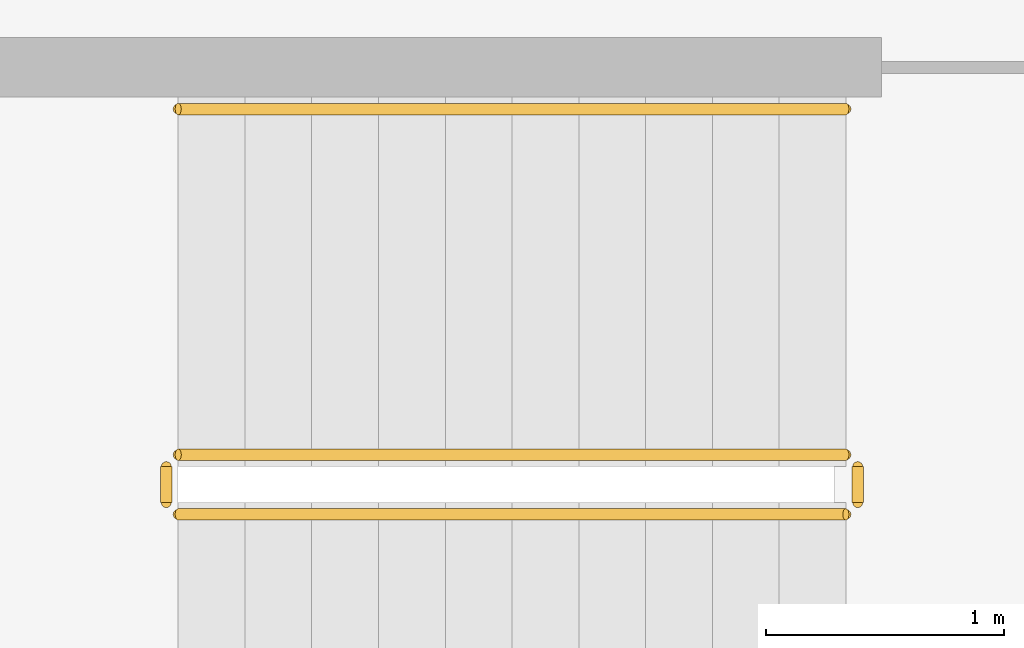
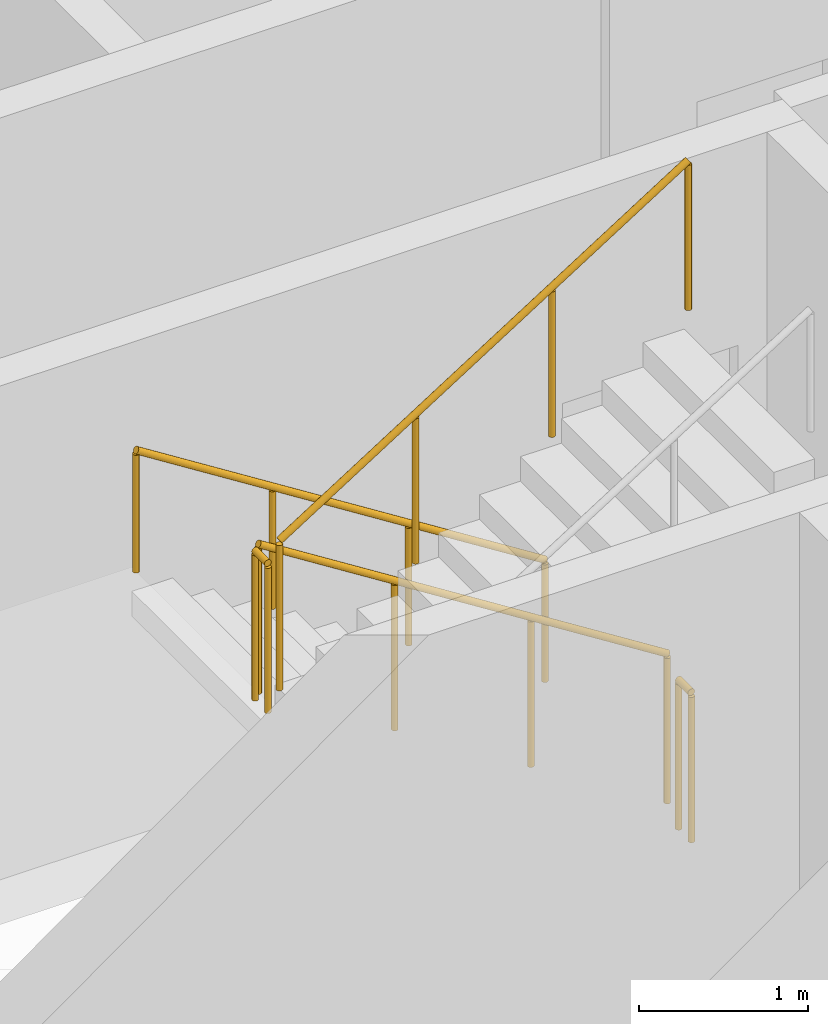
# One storey, part 12 of 17: 5 railings.
"""IFC4 building model written with IfcOpenShell, lengths in metres."""

from ifc_helpers import new_model, si_unit, direction, frame, origin, origin_2d, place, context, subcontext, project, spatial, circle, extrude, material, type_object, element, save


model = new_model("IFC4")

# Units and contexts
model_context = context("Model", 3, precision=1e-05, world=origin(), true_north=direction((0.0, 1.0)))
body_context = subcontext(model_context, "Body", "Model", "MODEL_VIEW")
ifc_project = project(units=[si_unit("LENGTHUNIT", "METRE"), si_unit("AREAUNIT", "SQUARE_METRE"), si_unit("VOLUMEUNIT", "CUBIC_METRE"), si_unit("PLANEANGLEUNIT", "RADIAN"), si_unit("MASSUNIT", "GRAM", prefix="KILO")], contexts=[model_context])

# Site, building, storey
site_placement = place(None, origin())
site = spatial("IfcSite", under=ifc_project, at=site_placement, CompositionType="ELEMENT")
building_placement = place(site_placement, origin())
building = spatial("IfcBuilding", under=site, at=building_placement, Name="Dhurran Vertical Campus", CompositionType="ELEMENT")
storey_placement = place(building_placement, frame((0.0, 0.0, 156.0)))
storey = spatial("IfcBuildingStorey", under=building, at=storey_placement, Name="L38", CompositionType="ELEMENT", Elevation=156.0)

# Railings
ifc_material_1 = material(Name="Stainless steel balustrade", Category="steel")
railing_type_1 = type_object("IfcRailingType", Name="co-RL-GUARD-1100", PredefinedType="GUARDRAIL", material=ifc_material_1)
railing_1_placement = place(storey_placement, frame((11.10009765625, -8.89990234375, 0.17724609375)))
element("IfcRailing", 1, at=railing_1_placement, inside=storey, type_object=railing_type_1, Name="L38 ST4 stair guard 1", PredefinedType="GUARDRAIL", context=body_context, shape_type="SweptSolid", body=[
    extrude(circle(Radius=0.02392578125, at=origin_2d()), frame((0.0, 0.0, 1.076171875), z_axis=(-0.844908973607, 0.0, 0.534910110503), x_axis=(0.0, -1.0, 0.0)), (0.0, 0.0, 1.0), 3.31396484375),
    extrude(circle(Radius=0.02099609375, at=origin_2d()), origin(), (0.0, 0.0, 1.0), 1.052001953125),
    extrude(circle(Radius=0.02099609375, at=origin_2d()), frame((-0.933349609375, 0.0, 0.5908203125)), (0.0, 0.0, 1.0), 1.052001953125),
    extrude(circle(Radius=0.02099609375, at=origin_2d()), frame((-1.86669921875, 0.0, 1.181884765625)), (0.0, 0.0, 1.0), 1.052001953125),
    extrude(circle(Radius=0.02099609375, at=origin_2d()), frame((-2.800048828125, 0.0, 1.772705078125)), (0.0, 0.0, 1.0), 1.052001953125),
])
railing_2_placement = place(storey_placement, frame((8.25, -8.949951171875, 1.949951171875)))
element("IfcRailing", 2, at=railing_2_placement, inside=storey, type_object=railing_type_1, Name="L38 ST4 stair guard 2", PredefinedType="GUARDRAIL", context=body_context, shape_type="SweptSolid", body=[
    extrude(circle(Radius=0.02392578125, at=origin_2d()), frame((0.0, 0.0, 1.076171875), z_axis=(0.0, -1.0, 0.0), x_axis=(1.0, 0.0, 0.0)), (0.0, 0.0, 1.0), 0.150146484375),
    extrude(circle(Radius=0.02099609375, at=origin_2d()), origin(), (0.0, 0.0, 1.0), 1.052001953125),
    extrude(circle(Radius=0.02099609375, at=origin_2d()), frame((0.0, -0.150146484375, 0.0)), (0.0, 0.0, 1.0), 1.052001953125),
])
railing_3_placement = place(storey_placement, frame((8.300048828125, -9.14990234375, 2.127197265625)))
element("IfcRailing", 3, at=railing_3_placement, inside=storey, type_object=railing_type_1, Name="L38 ST4 stair guard 3", PredefinedType="GUARDRAIL", context=body_context, shape_type="SweptSolid", body=[
    extrude(circle(Radius=0.02392578125, at=origin_2d()), frame((0.0, 0.0, 1.076171875), z_axis=(0.844908973607, 0.0, 0.534910110503), x_axis=(0.0, 1.0, 0.0)), (0.0, 0.0, 1.0), 3.31396484375),
    extrude(circle(Radius=0.02099609375, at=origin_2d()), origin(), (0.0, 0.0, 1.0), 1.052001953125),
    extrude(circle(Radius=0.02099609375, at=origin_2d()), frame((0.933349609375, 0.0, 0.5908203125)), (0.0, 0.0, 1.0), 1.052001953125),
    extrude(circle(Radius=0.02099609375, at=origin_2d()), frame((1.86669921875, 0.0, 1.181884765625)), (0.0, 0.0, 1.0), 1.052001953125),
    extrude(circle(Radius=0.02099609375, at=origin_2d()), frame((2.800048828125, 0.0, 1.772705078125)), (0.0, 0.0, 1.0), 1.052001953125),
])
railing_4_placement = place(storey_placement, frame((11.14990234375, -8.949951171875, 0.0)))
element("IfcRailing", 4, at=railing_4_placement, inside=storey, type_object=railing_type_1, Name="L38 ST4 stair guard 4", PredefinedType="GUARDRAIL", context=body_context, shape_type="SweptSolid", body=[
    extrude(circle(Radius=0.02392578125, at=origin_2d()), frame((0.0, 0.0, 1.076171875), z_axis=(0.0, -1.0, 0.0), x_axis=(1.0, 0.0, 0.0)), (0.0, 0.0, 1.0), 0.150146484375),
    extrude(circle(Radius=0.02099609375, at=origin_2d()), origin(), (0.0, 0.0, 1.0), 1.052001953125),
    extrude(circle(Radius=0.02099609375, at=origin_2d()), frame((0.0, -0.150146484375, 0.0)), (0.0, 0.0, 1.0), 1.052001953125),
])
ifc_material_2 = material(Name="Stainless steel handrail", Category="steel")
railing_type_2 = type_object("IfcRailingType", Name="co-RL-HANDRAIL-900", PredefinedType="HANDRAIL", material=ifc_material_2)
railing_5_placement = place(storey_placement, frame((11.10009765625, -7.449951171875, 0.17724609375)))
element("IfcRailing", 5, at=railing_5_placement, inside=storey, type_object=railing_type_2, Name="L38 ST4 stair handrail 1", PredefinedType="HANDRAIL", context=body_context, shape_type="SweptSolid", body=[
    extrude(circle(Radius=0.02392578125, at=origin_2d()), frame((0.0, 0.0, 0.8759765625), z_axis=(-0.844908973607, 0.0, 0.534910110503), x_axis=(0.0, -1.0, 0.0)), (0.0, 0.0, 1.0), 3.31396484375),
    extrude(circle(Radius=0.02099609375, at=origin_2d()), origin(), (0.0, 0.0, 1.0), 0.851806640625),
    extrude(circle(Radius=0.02099609375, at=origin_2d()), frame((-0.933349609375, 0.0, 0.5908203125)), (0.0, 0.0, 1.0), 0.851806640625),
    extrude(circle(Radius=0.02099609375, at=origin_2d()), frame((-1.86669921875, 0.0, 1.181884765625)), (0.0, 0.0, 1.0), 0.851806640625),
    extrude(circle(Radius=0.02099609375, at=origin_2d()), frame((-2.800048828125, 0.0, 1.772705078125)), (0.0, 0.0, 1.0), 0.851806640625),
])

save(model, "model.ifc")
